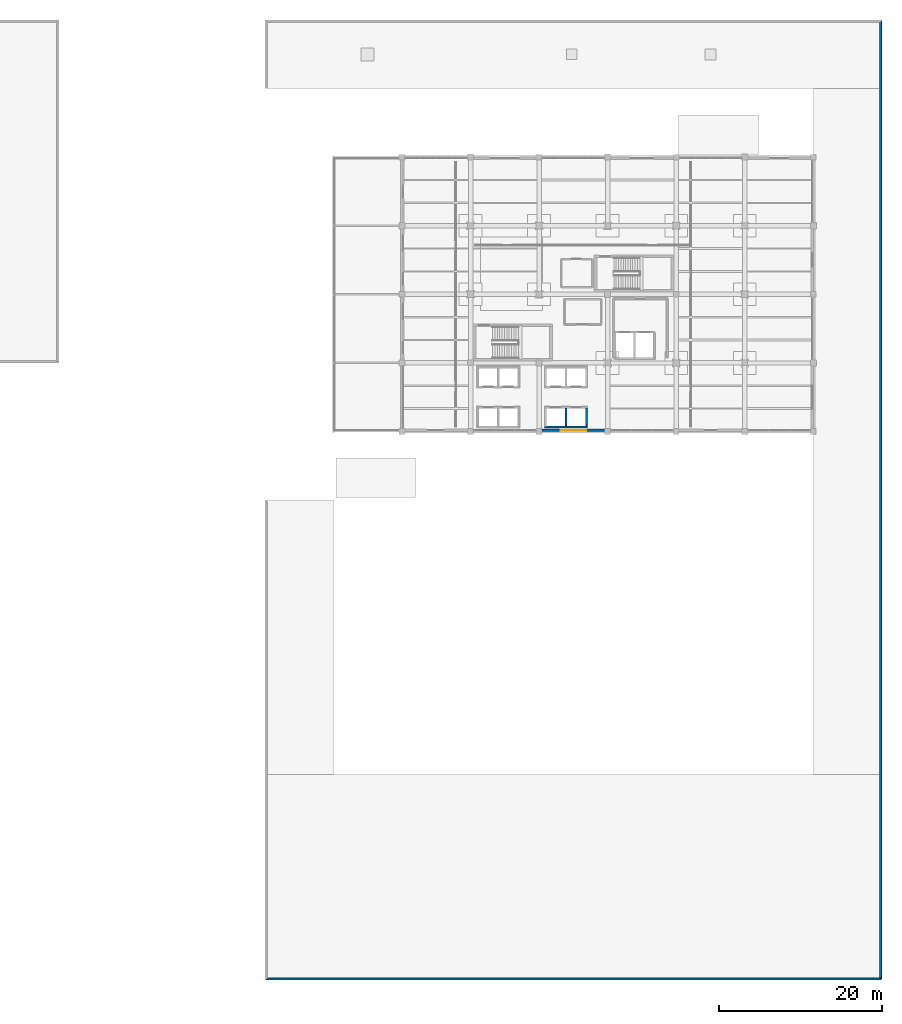
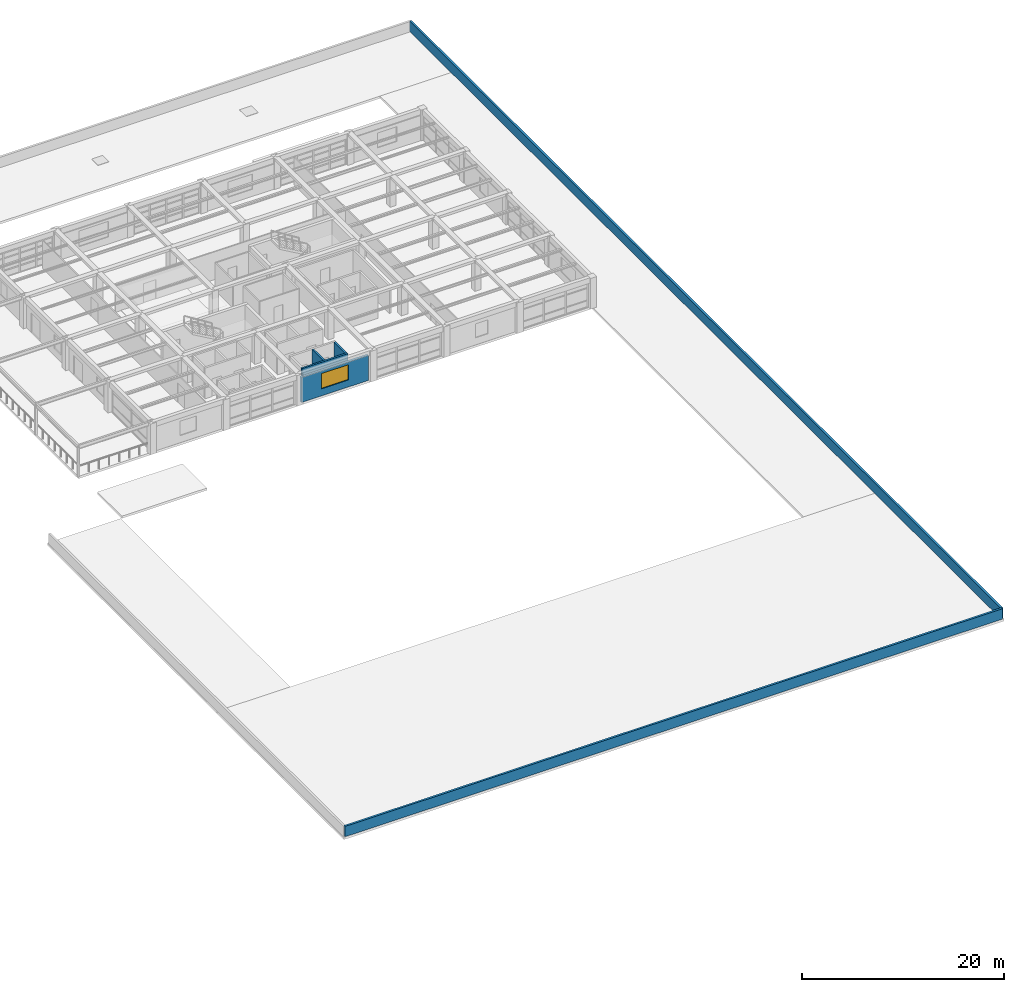
# One storey, part 32 of 35: 6 walls, 1 window, 1 opening.
"""IFC4 building model written with IfcOpenShell, lengths in metres."""

from ifc_helpers import new_model, si_unit, direction, frame, frame_2d, origin, place, context, subcontext, project, spatial, rectangle, extrude, material, layer, layer_set, type_object, element, fill, save


model = new_model("IFC4")

# Units and contexts
model_context = context("Model", 3, precision=1e-05, world=origin(), true_north=direction((0.0, 1.0)))
body_context = subcontext(model_context, "Body", "Model", "MODEL_VIEW")
ifc_project = project(units=[si_unit("LENGTHUNIT", "METRE"), si_unit("AREAUNIT", "SQUARE_METRE"), si_unit("VOLUMEUNIT", "CUBIC_METRE"), si_unit("PLANEANGLEUNIT", "RADIAN"), si_unit("MASSUNIT", "GRAM", prefix="KILO")], contexts=[model_context])

# Site, building, storey
site_placement = place(None, origin())
site = spatial("IfcSite", under=ifc_project, at=site_placement, CompositionType="ELEMENT")
building_placement = place(site_placement, origin())
building = spatial("IfcBuilding", under=site, at=building_placement, Name="Almacenes y Pasaje Nevantli", CompositionType="ELEMENT")
storey_placement = place(building_placement, frame((0.0, 0.0, 26.699951171875)))
storey = spatial("IfcBuildingStorey", under=building, at=storey_placement, Name="L06", CompositionType="ELEMENT", Elevation=26.699951171875)

# Wall, opening, window
ifc_material_1 = material(Name="Cream Architectural Precast Concrete C35/45 Wall", Category="concrete")
ifc_layer_1 = layer(ifc_material_1, 0.260009765625)
ifc_layer_set_1 = layer_set([ifc_layer_1], Name="Cream Architectural Precast Concrete C35/45 Wall")
wall_type_1 = type_object("IfcWallType", Name="WL-EXT-PRECAST-260", PredefinedType="SOLIDWALL", material=ifc_layer_set_1)
wall_1_placement = place(storey_placement, frame((126.35205078125, 67.340087890625, 0.0), z_axis=(0.0, 0.0, 1.0), x_axis=(1.0, 0.0, 0.0)))
wall_1 = element("IfcWall", 1, at=wall_1_placement, inside=storey, type_object=wall_type_1, Name="L06 Tower South Precast Spandrel Wall Bay 16", PredefinedType="SOLIDWALL", context=body_context, shape_type="SweptSolid", body=[
    extrude(rectangle(XDim=7.669921875, YDim=0.260009765625, at=frame_2d((3.8349609375, 0.0))), origin(), (0.0, 0.0, 1.0), 3.0400390625),
])
opening_placement = place(wall_1_placement, frame((2.298095703125, 0.0, 0.85009765625)))
opening = element("IfcOpeningElement", 2, at=opening_placement, cuts=wall_1, Name="Opening WT-28-193", PredefinedType="OPENING", context=body_context, shape_type="SweptSolid", body=[
    extrude(rectangle(XDim=3.10009765625, YDim=1.85009765625, at=frame_2d((1.550048828125, 0.925048828125))), frame((0.0, 0.139892578125, 0.0), z_axis=(0.0, -1.0, 0.0), x_axis=(1.0, 0.0, 0.0)), (0.0, 0.0, 1.0), 0.280029296875),
])
ifc_material_2 = material(Name="Thermally Broken Aluminium and Low-E Double Glazing", Category="aluminium")
window_type = type_object("IfcWindowType", Name="WN-TWR-3100x1850", PartitioningType="SINGLE_PANEL", PredefinedType="WINDOW", material=ifc_material_2)
window_placement = place(opening_placement, origin())
window = element("IfcWindow", 3, at=window_placement, inside=storey, type_object=window_type, Name="L06 Exterior Window WT-28 #193", OverallHeight=1.85009765625, OverallWidth=3.10009765625, PartitioningType="SINGLE_PANEL", PredefinedType="WINDOW", context=body_context, shape_type="SweptSolid", body=[
    extrude(rectangle(XDim=3.10009765625, YDim=1.85009765625, at=frame_2d((1.550048828125, 0.925048828125))), frame((0.0, 0.030029296875, 0.0), z_axis=(0.0, -1.0, 0.0), x_axis=(1.0, 0.0, 0.0)), (0.0, 0.0, 1.0), 0.06005859375),
])
fill(opening, window)

# Walls
ifc_material_3 = material(Name="Reinforced Concrete C35/45 Roof Parapet", Category="concrete")
ifc_layer_2 = layer(ifc_material_3, 0.239990234375)
ifc_layer_set_2 = layer_set([ifc_layer_2], Name="Reinforced Concrete C35/45 Roof Parapet")
wall_type_2 = type_object("IfcWallType", Name="WL-PARAPET-240", PredefinedType="PARAPET", material=ifc_layer_set_2)
wall_2_placement = place(storey_placement, frame((167.85009765625, 0.14990234375, 0.0), z_axis=(0.0, 0.0, 1.0), x_axis=(0.0, 1.0, 0.0)))
element("IfcWall", 4, at=wall_2_placement, inside=storey, type_object=wall_type_2, Name="L06 East Podium Roof Parapet", PredefinedType="PARAPET", context=body_context, shape_type="SweptSolid", body=[
    extrude(rectangle(XDim=117.300048828125, YDim=0.239990234375, at=frame_2d((58.64990234375, 0.0))), origin(), (0.0, 0.0, 1.0), 1.25),
])
wall_3_placement = place(storey_placement, frame((92.550048828125, 0.14990234375, 0.0), z_axis=(0.0, 0.0, 1.0), x_axis=(1.0, 0.0, 0.0)))
element("IfcWall", 5, at=wall_3_placement, inside=storey, type_object=wall_type_2, Name="L06 SE Podium Roof South Parapet", PredefinedType="PARAPET", context=body_context, shape_type="SweptSolid", body=[
    extrude(rectangle(XDim=75.300048828125, YDim=0.239990234375, at=frame_2d((37.64990234375, 0.0))), origin(), (0.0, 0.0, 1.0), 1.25),
])
ifc_material_4 = material(Name="Concrete C45/55", Category="concrete")
ifc_layer_3 = layer(ifc_material_4, 0.2099609375)
ifc_layer_set_3 = layer_set([ifc_layer_3], Name="Concrete C45/55")
wall_type_3 = type_object("IfcWallType", Name="WL-SHAFT-210", PredefinedType="SHEAR", material=ifc_layer_set_3)
wall_4_placement = place(storey_placement, frame((126.68994140625, 67.7451171875, 0.0), z_axis=(0.0, 0.0, 1.0), x_axis=(1.0, 0.0, 0.0)))
element("IfcWall", 6, at=wall_4_placement, inside=storey, type_object=wall_type_3, Name="L06 Lift Hoistway ELV-P01-ELV-P02 South Wall", PredefinedType="SHEAR", context=body_context, shape_type="SweptSolid", body=[
    extrude(rectangle(XDim=5.219970703125, YDim=0.2099609375, at=frame_2d((2.60986328125, 0.0))), origin(), (0.0, 0.0, 1.0), 3.719970703125),
])
for number, where, z_axis, x_axis, name in (
    (7, (131.804931640625, 67.85009765625, 0.0), (0.0, 0.0, 1.0), (0.0, 1.0, 0.0), "L06 Lift Hoistway ELV-P02 East Wall"),
    (8, (129.300048828125, 67.85009765625, 0.0), (0.0, 0.0, 1.0), (0.0, 1.0, 0.0), "L06 Lift Hoistway Divider Wall ELV-P01/ELV-P02"),
):
    element("IfcWall", number, at=place(storey_placement, frame(where, z_axis=z_axis, x_axis=x_axis)), inside=storey, type_object=wall_type_3, Name=name, PredefinedType="SHEAR", context=body_context, shape_type="SweptSolid", body=[
        extrude(rectangle(XDim=2.199951171875, YDim=0.2099609375, at=frame_2d((1.10009765625, 0.0))), origin(), (0.0, 0.0, 1.0), 3.719970703125),
    ])

save(model, "model.ifc")
